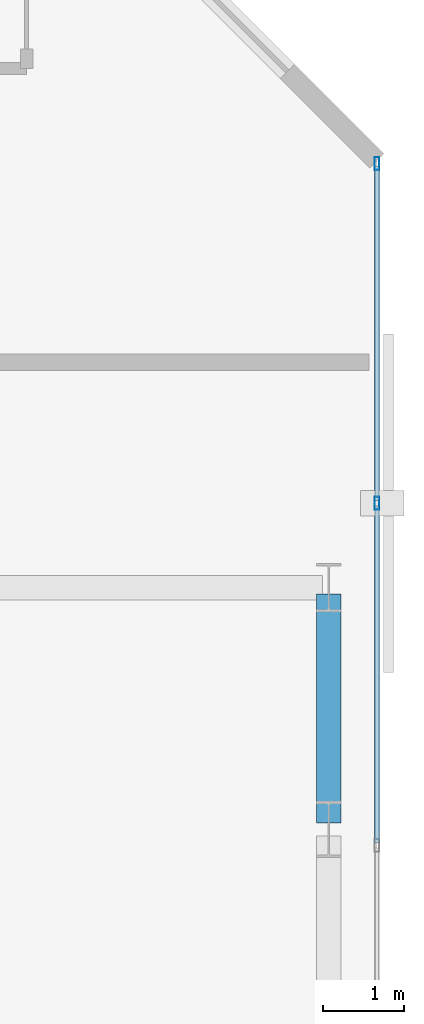
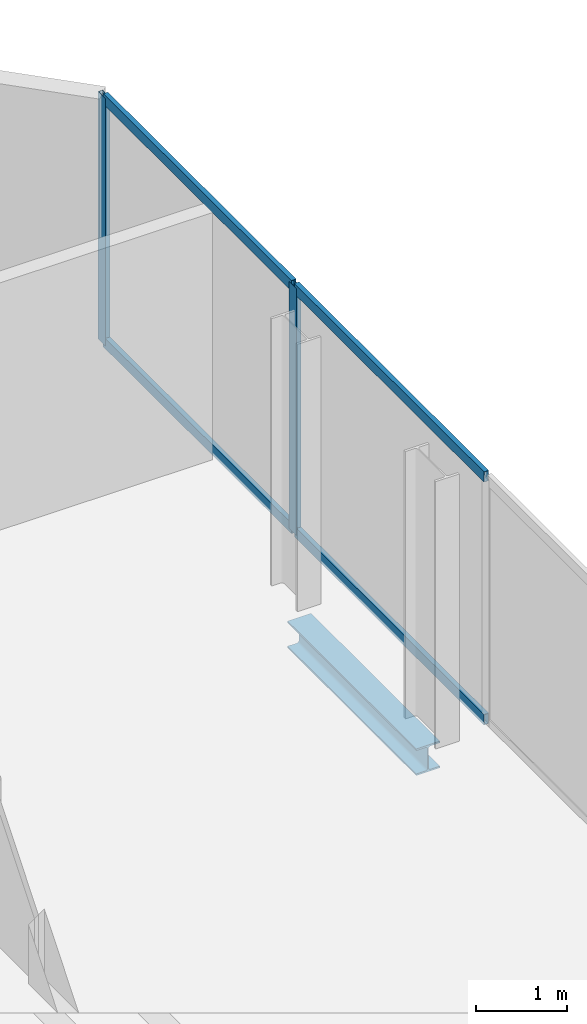
# One storey, part 26 of 32: 6 members, 1 beam, 1 element without a shape of its own.
"""IFC4 building model written with IfcOpenShell, lengths in metres."""

from ifc_helpers import new_model, si_unit, direction, frame, origin, origin_2d, place, context, subcontext, project, spatial, hollow_rectangle, i_section, extrude, material, layer, layer_set, material_profile, profile_set, type_object, element, aggregate, save


model = new_model("IFC4")

# Units and contexts
model_context = context("Model", 3, precision=1e-05, world=origin(), true_north=direction((0.0, 1.0)))
body_context = subcontext(model_context, "Body", "Model", "MODEL_VIEW")
ifc_project = project(units=[si_unit("LENGTHUNIT", "METRE"), si_unit("AREAUNIT", "SQUARE_METRE"), si_unit("VOLUMEUNIT", "CUBIC_METRE"), si_unit("PLANEANGLEUNIT", "RADIAN"), si_unit("MASSUNIT", "GRAM", prefix="KILO")], contexts=[model_context])

# Site, building, storey
site_placement = place(None, origin())
site = spatial("IfcSite", under=ifc_project, at=site_placement, CompositionType="ELEMENT")
building_placement = place(site_placement, origin())
building = spatial("IfcBuilding", under=site, at=building_placement, Name="Catumbela Crestline Tower", CompositionType="ELEMENT")
storey_placement = place(building_placement, frame((0.0, 0.0, 129.6)))
storey = spatial("IfcBuildingStorey", under=building, at=storey_placement, Name="L33", CompositionType="ELEMENT", Elevation=129.6)

# Curtain wall, members
ifc_material_1 = material(Name="Aluminium alloy AW-6060-T66", Category="aluminium")
ifc_layer = layer(ifc_material_1, 0.18, Name="Aluminium alloy AW-6060-T66")
ifc_layer_set = layer_set([ifc_layer], Name="Aluminium alloy AW-6060-T66")
curtain_wall_type = type_object("IfcCurtainWallType", Name="CWU-Z2", PredefinedType="USERDEFINED", material=ifc_layer_set)
curtain_wall_placement = place(storey_placement, origin())
curtain_wall = element("IfcCurtainWall", 1, at=curtain_wall_placement, inside=storey, type_object=curtain_wall_type, Name="L33 Unitised Curtain Wall CW-L33-E5S1", ObjectType="UNITISED", PredefinedType="USERDEFINED")
ifc_material_profile_1 = material_profile(ifc_material_1, hollow_rectangle(XDim=0.06, YDim=0.16, WallThickness=0.004, at=origin_2d()), Name="ALU 160x60x4")
ifc_profile_set_1 = profile_set([ifc_material_profile_1], Name="Aluminium alloy AW-6060-T66")
member_type_1 = type_object("IfcMemberType", Name="MUL-160X60", PredefinedType="MULLION", material=ifc_profile_set_1)
member_1_placement = place(storey_placement, frame((51.0, 40.25, 0.0), z_axis=(0.0, 0.0, 1.0), x_axis=(-1.0, 0.0, 0.0)))
member_1 = element("IfcMember", 2, at=member_1_placement, type_object=member_type_1, Name="CWU-Z2 mullion 4", PredefinedType="MULLION", context=body_context, shape_type="SweptSolid", body=[
    extrude(hollow_rectangle(XDim=0.06, YDim=0.16, WallThickness=0.004, at=origin_2d()), origin(), (0.0, 0.0, 1.0), 3.33),
])
member_2_placement = place(storey_placement, frame((51.0, 44.4675, 0.0), z_axis=(0.0, 0.0, 1.0), x_axis=(-1.0, 0.0, 0.0)))
member_2 = element("IfcMember", 3, at=member_2_placement, type_object=member_type_1, Name="CWU-Z2 mullion 5", PredefinedType="MULLION", context=body_context, shape_type="SweptSolid", body=[
    extrude(hollow_rectangle(XDim=0.06, YDim=0.16, WallThickness=0.004, at=origin_2d()), origin(), (0.0, 0.0, 1.0), 3.33),
])

# Beam
ifc_material_2 = material(Name="Structural steel S355J2", Category="steel")
ifc_material_profile_2 = material_profile(ifc_material_2, i_section(OverallWidth=0.3, OverallDepth=0.36, WebThickness=0.0125, FlangeThickness=0.0225, FilletRadius=0.027, at=origin_2d()), Name="HEB 360")
ifc_profile_set_2 = profile_set([ifc_material_profile_2], Name="Structural steel S355J2")
beam_type = type_object("IfcBeamType", Name="BS-HEB360", PredefinedType="SPANDREL", material=ifc_profile_set_2)
beam_placement = place(storey_placement, frame((50.4, 36.28, -0.44), z_axis=(0.0, 1.0, 0.0), x_axis=(-1.0, 0.0, 0.0)))
element("IfcBeam", 4, at=beam_placement, inside=storey, type_object=beam_type, Name="L33 Spandrel SP-L33-SN36", PredefinedType="SPANDREL", context=body_context, shape_type="SweptSolid", body=[
    extrude(i_section(OverallWidth=0.3, OverallDepth=0.36, WebThickness=0.0125, FlangeThickness=0.0225, FilletRadius=0.027, at=origin_2d()), origin(), (0.0, 0.0, 1.0), 2.84),
])

# Member
ifc_material_profile_3 = material_profile(ifc_material_1, hollow_rectangle(XDim=0.06, YDim=0.14, WallThickness=0.004, at=origin_2d()), Name="ALU 140x60x4")
ifc_profile_set_3 = profile_set([ifc_material_profile_3], Name="Aluminium alloy AW-6060-T66")
member_type_2 = type_object("IfcMemberType", Name="TRN-140X60", PredefinedType="USERDEFINED", material=ifc_profile_set_3)
member_3_placement = place(storey_placement, frame((51.0, 36.0325, 0.03), z_axis=(0.0, 1.0, 0.0), x_axis=(-1.0, 0.0, 0.0)))
member_3 = element("IfcMember", 5, at=member_3_placement, type_object=member_type_2, Name="CWU-Z2 transom 3.1", ObjectType="TRANSOM", PredefinedType="USERDEFINED", context=body_context, shape_type="SweptSolid", body=[
    extrude(hollow_rectangle(XDim=0.06, YDim=0.14, WallThickness=0.004, at=origin_2d()), origin(), (0.0, 0.0, 1.0), 4.185),
])

member_4_placement = place(storey_placement, frame((51.0, 36.0325, 3.3), z_axis=(0.0, 1.0, 0.0), x_axis=(-1.0, 0.0, 0.0)))
member_4 = element("IfcMember", 6, at=member_4_placement, type_object=member_type_2, Name="CWU-Z2 transom 3.2", ObjectType="TRANSOM", PredefinedType="USERDEFINED", context=body_context, shape_type="SweptSolid", body=[
    extrude(hollow_rectangle(XDim=0.06, YDim=0.14, WallThickness=0.004, at=origin_2d()), origin(), (0.0, 0.0, 1.0), 4.185),
])

member_5_placement = place(storey_placement, frame((51.0, 40.2825, 0.03), z_axis=(0.0, 1.0, 0.0), x_axis=(-1.0, 0.0, 0.0)))
member_5 = element("IfcMember", 7, at=member_5_placement, type_object=member_type_2, Name="CWU-Z2 transom 4.1", ObjectType="TRANSOM", PredefinedType="USERDEFINED", context=body_context, shape_type="SweptSolid", body=[
    extrude(hollow_rectangle(XDim=0.06, YDim=0.14, WallThickness=0.004, at=origin_2d()), origin(), (0.0, 0.0, 1.0), 4.1525),
])

member_6_placement = place(storey_placement, frame((51.0, 40.2825, 3.3), z_axis=(0.0, 1.0, 0.0), x_axis=(-1.0, 0.0, 0.0)))
member_6 = element("IfcMember", 8, at=member_6_placement, type_object=member_type_2, Name="CWU-Z2 transom 4.2", ObjectType="TRANSOM", PredefinedType="USERDEFINED", context=body_context, shape_type="SweptSolid", body=[
    extrude(hollow_rectangle(XDim=0.06, YDim=0.14, WallThickness=0.004, at=origin_2d()), origin(), (0.0, 0.0, 1.0), 4.1525),
])

aggregate(curtain_wall, [member_1, member_2, member_3, member_4, member_5, member_6])

save(model, "model.ifc")
